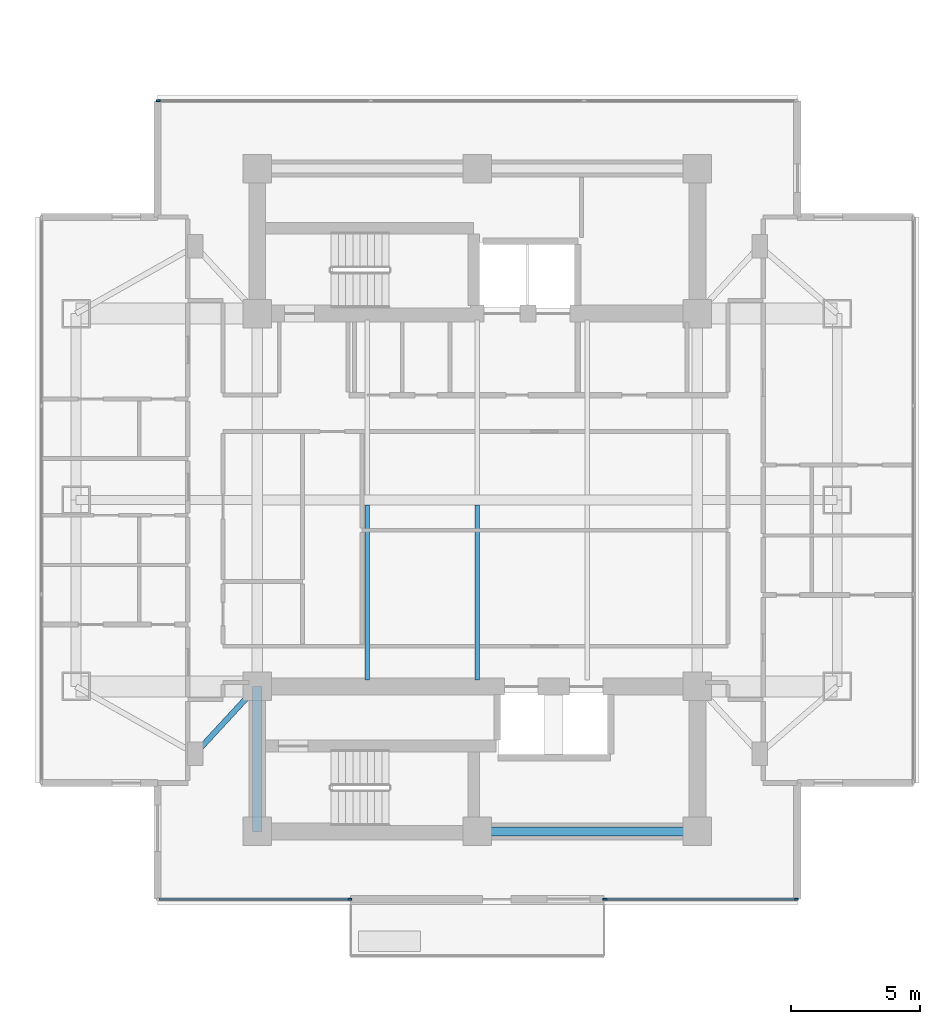
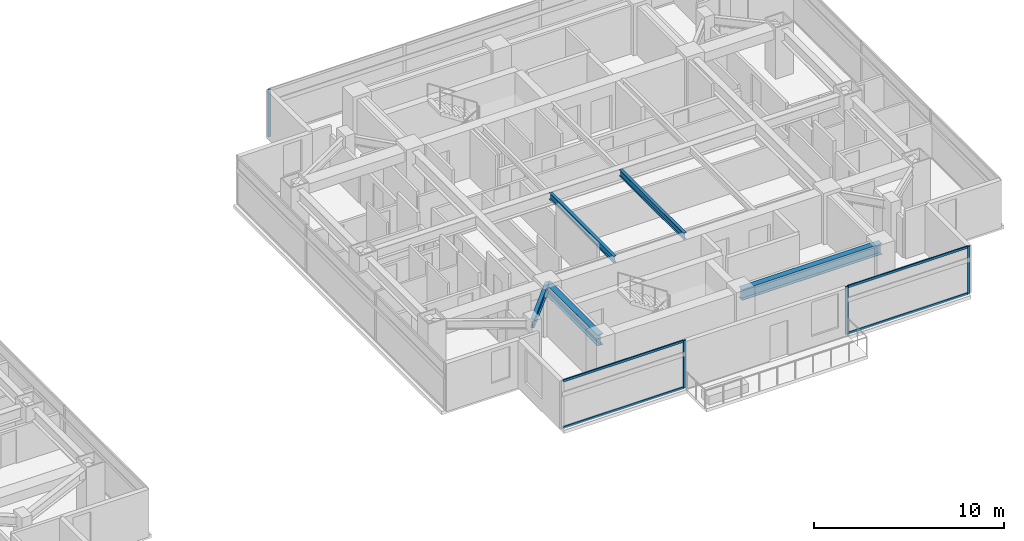
# One storey, part 9 of 24: 8 members, 5 beams, 3 elements without a shape of their own.
"""IFC4 building model written with IfcOpenShell, lengths in metres."""

from ifc_helpers import new_model, si_unit, direction, frame, origin, origin_2d, place, context, subcontext, project, spatial, rectangle, i_section, extrude, material, material_profile, profile_set, type_object, element, aggregate, save


model = new_model("IFC4")

# Units and contexts
model_context = context("Model", 3, precision=1e-05, world=origin(), true_north=direction((0.0, 1.0)))
body_context = subcontext(model_context, "Body", "Model", "MODEL_VIEW")
ifc_project = project(units=[si_unit("LENGTHUNIT", "METRE"), si_unit("AREAUNIT", "SQUARE_METRE"), si_unit("VOLUMEUNIT", "CUBIC_METRE"), si_unit("PLANEANGLEUNIT", "RADIAN"), si_unit("MASSUNIT", "GRAM", prefix="KILO")], contexts=[model_context])

# Site, building, storey
site_placement = place(None, origin())
site = spatial("IfcSite", under=ifc_project, at=site_placement, CompositionType="ELEMENT")
building_placement = place(site_placement, origin())
building = spatial("IfcBuilding", under=site, at=building_placement, Name="Mirazonda Arch Towers", CompositionType="ELEMENT")
storey_placement = place(building_placement, frame((0.0, 0.0, 118.10009765625)))
storey = spatial("IfcBuildingStorey", under=building, at=storey_placement, Name="L33", CompositionType="ELEMENT", Elevation=118.10009765625)

# Beams
ifc_material_1 = material(Name="Steel ASTM A992 Grade 50", Category="steel")
ifc_material_profile_1 = material_profile(ifc_material_1, i_section(OverallWidth=0.180908203125, OverallDepth=0.4169921875, WebThickness=0.010986328125, FlangeThickness=0.018310546875, at=origin_2d()), Name="W16X57")
ifc_profile_set_1 = profile_set([ifc_material_profile_1], Name="Steel ASTM A992 Grade 50")
beam_type_1 = type_object("IfcBeamType", Name="BM-INT-W16X57", PredefinedType="JOIST", material=ifc_profile_set_1)
for number, where, z_axis, x_axis, name in (
    (1, (72.25, 21.0400390625, 2.871337890625), (0.0, 1.0, 0.0), (-1.0, 0.0, 0.0), "L33 Floor Beam BM-T2-L33-J-722-20"),
    (2, (76.5, 21.0400390625, 2.871337890625), (0.0, 1.0, 0.0), (-1.0, 0.0, 0.0), "L33 Floor Beam BM-T2-L33-J-765-20"),
):
    element("IfcBeam", number, at=place(storey_placement, frame(where, z_axis=z_axis, x_axis=x_axis)), inside=storey, type_object=beam_type_1, Name=name, PredefinedType="JOIST", context=body_context, shape_type="SweptSolid", body=[
        extrude(i_section(OverallWidth=0.180908203125, OverallDepth=0.4169921875, WebThickness=0.010986328125, FlangeThickness=0.018310546875, at=origin_2d()), origin(), (0.0, 0.0, 1.0), 6.763916015625),
    ])
ifc_material_profile_2 = material_profile(ifc_material_1, i_section(OverallWidth=0.214111328125, OverallDepth=0.549072265625, WebThickness=0.0146484375, FlangeThickness=0.023681640625, at=origin_2d()), Name="W21X93")
ifc_profile_set_2 = profile_set([ifc_material_profile_2], Name="Steel ASTM A992 Grade 50")
beam_type_2 = type_object("IfcBeamType", Name="BM-INT-W21X93", PredefinedType="BEAM", material=ifc_profile_set_2)
beam_1_placement = place(storey_placement, frame((65.60009765625, 18.199951171875, 2.805419921875), z_axis=(0.678251444854, 0.734829897019, 0.0), x_axis=(-0.734829897019, 0.678251444854, 0.0)))
element("IfcBeam", 3, at=beam_1_placement, inside=storey, type_object=beam_type_2, Name="L33 Floor Beam BM-T2-L33-PL-SW1", PredefinedType="BEAM", context=body_context, shape_type="SweptSolid", body=[
    extrude(i_section(OverallWidth=0.214111328125, OverallDepth=0.549072265625, WebThickness=0.0146484375, FlangeThickness=0.023681640625, at=origin_2d()), origin(), (0.0, 0.0, 1.0), 3.538330078125),
])
ifc_material_profile_3 = material_profile(ifc_material_1, i_section(OverallWidth=0.35498046875, OverallDepth=0.696044921875, WebThickness=0.015380859375, FlangeThickness=0.02490234375, at=origin_2d()), Name="W27X146")
ifc_profile_set_3 = profile_set([ifc_material_profile_3], Name="Steel ASTM A992 Grade 50")
beam_type_3 = type_object("IfcBeamType", Name="BM-INT-W27X146", PredefinedType="BEAM", material=ifc_profile_set_3)
beam_2_placement = place(storey_placement, frame((76.5, 15.199951171875, 2.73193359375), z_axis=(1.0, 0.0, 0.0), x_axis=(0.0, 1.0, 0.0)))
element("IfcBeam", 4, at=beam_2_placement, inside=storey, type_object=beam_type_3, Name="L33 Floor Beam BM-T2-L33-CS2", PredefinedType="BEAM", context=body_context, shape_type="SweptSolid", body=[
    extrude(i_section(OverallWidth=0.35498046875, OverallDepth=0.696044921875, WebThickness=0.015380859375, FlangeThickness=0.02490234375, at=origin_2d()), origin(), (0.0, 0.0, 1.0), 8.5),
])
beam_3_placement = place(storey_placement, frame((68.0, 15.199951171875, 2.73193359375), z_axis=(0.0, 1.0, 0.0), x_axis=(-1.0, 0.0, 0.0)))
element("IfcBeam", 5, at=beam_3_placement, inside=storey, type_object=beam_type_3, Name="L33 Floor Beam BM-T2-L33-CSW", PredefinedType="BEAM", context=body_context, shape_type="SweptSolid", body=[
    extrude(i_section(OverallWidth=0.35498046875, OverallDepth=0.696044921875, WebThickness=0.015380859375, FlangeThickness=0.02490234375, at=origin_2d()), origin(), (0.0, 0.0, 1.0), 5.60009765625),
])

# Curtain wall, members
ifc_material_2 = material(Name="Anodised Aluminium and Low-E Glass", Category="aluminium")
curtain_wall_type = type_object("IfcCurtainWallType", Name="CW-HTL-UNIT", PredefinedType="NOTDEFINED", material=ifc_material_2)
curtain_wall_1_placement = place(storey_placement, origin())
curtain_wall_1 = element("IfcCurtainWall", 6, at=curtain_wall_1_placement, inside=storey, type_object=curtain_wall_type, Name="L33 Curtain Wall CW-L33-T2-SA", PredefinedType="NOTDEFINED")
ifc_material_3 = material(Name="Anodised Aluminium Alloy", Category="aluminium")
ifc_material_profile_4 = material_profile(ifc_material_3, rectangle(XDim=0.074951171875, YDim=0.1650390625, at=origin_2d()), Name="ALU-MULL-75x165")
ifc_profile_set_4 = profile_set([ifc_material_profile_4], Name="Anodised Aluminium Alloy")
member_type_1 = type_object("IfcMemberType", Name="MULL-CW-HTL-UNIT", PredefinedType="MULLION", material=ifc_profile_set_4)
member_1_placement = place(storey_placement, frame((88.821044921875, 12.5810546875, 0.0), z_axis=(0.0, 0.0, 1.0), x_axis=(0.0, -1.0, 0.0)))
member_1 = element("IfcMember", 7, at=member_1_placement, type_object=member_type_1, Name="CW-112 mullion 1", PredefinedType="MULLION", context=body_context, shape_type="SweptSolid", body=[
    extrude(rectangle(XDim=0.074951171875, YDim=0.1650390625, at=origin_2d()), origin(), (0.0, 0.0, 1.0), 3.059814453125),
])
member_2_placement = place(storey_placement, frame((81.427490234375, 12.5810546875, 0.0), z_axis=(0.0, 0.0, 1.0), x_axis=(0.0, -1.0, 0.0)))
member_2 = element("IfcMember", 8, at=member_2_placement, type_object=member_type_1, Name="CW-112 mullion 2", PredefinedType="MULLION", context=body_context, shape_type="SweptSolid", body=[
    extrude(rectangle(XDim=0.074951171875, YDim=0.1650390625, at=origin_2d()), origin(), (0.0, 0.0, 1.0), 3.059814453125),
])

# Curtain wall, member
curtain_wall_2_placement = place(storey_placement, origin())
curtain_wall_2 = element("IfcCurtainWall", 9, at=curtain_wall_2_placement, inside=storey, type_object=curtain_wall_type, Name="L33 Curtain Wall CW-L33-T2-SB", PredefinedType="NOTDEFINED")
member_3_placement = place(storey_placement, frame((71.572509765625, 12.5810546875, 0.0), z_axis=(0.0, 0.0, 1.0), x_axis=(0.0, -1.0, 0.0)))
member_3 = element("IfcMember", 10, at=member_3_placement, type_object=member_type_1, Name="CW-112 mullion 1", PredefinedType="MULLION", context=body_context, shape_type="SweptSolid", body=[
    extrude(rectangle(XDim=0.074951171875, YDim=0.1650390625, at=origin_2d()), origin(), (0.0, 0.0, 1.0), 3.059814453125),
])

curtain_wall_3_placement = place(storey_placement, origin())
curtain_wall_3 = element("IfcCurtainWall", 11, at=curtain_wall_3_placement, inside=storey, type_object=curtain_wall_type, Name="L33 T2 N Facade CW-L33-T2-N", PredefinedType="NOTDEFINED")
member_4_placement = place(storey_placement, frame((64.178955078125, 43.4189453125, 0.0), z_axis=(0.0, 0.0, 1.0), x_axis=(0.0, 1.0, 0.0)))
member_4 = element("IfcMember", 12, at=member_4_placement, type_object=member_type_1, Name="CW-112 mullion 1", PredefinedType="MULLION", context=body_context, shape_type="SweptSolid", body=[
    extrude(rectangle(XDim=0.074951171875, YDim=0.1650390625, at=origin_2d()), origin(), (0.0, 0.0, 1.0), 3.059814453125),
])
aggregate(curtain_wall_3, [member_4])

# Member
ifc_material_profile_5 = material_profile(ifc_material_3, rectangle(XDim=0.074951171875, YDim=0.14501953125, at=origin_2d()), Name="ALU-TRAN-75x145")
ifc_profile_set_5 = profile_set([ifc_material_profile_5], Name="Anodised Aluminium Alloy")
member_type_2 = type_object("IfcMemberType", Name="TRAN-CW-HTL-UNIT", PredefinedType="USERDEFINED", material=ifc_profile_set_5)
member_5_placement = place(storey_placement, frame((88.783447265625, 12.5810546875, 0.037353515625), z_axis=(-1.0, 0.0, 0.0), x_axis=(0.0, -1.0, 0.0)))
member_5 = element("IfcMember", 13, at=member_5_placement, type_object=member_type_2, Name="CW-112 transom 1.1", ObjectType="TRANSOM", PredefinedType="USERDEFINED", context=body_context, shape_type="SweptSolid", body=[
    extrude(rectangle(XDim=0.074951171875, YDim=0.14501953125, at=origin_2d()), origin(), (0.0, 0.0, 1.0), 7.318359375),
])

member_6_placement = place(storey_placement, frame((88.783447265625, 12.5810546875, 3.0224609375), z_axis=(-1.0, 0.0, 0.0), x_axis=(0.0, -1.0, 0.0)))
member_6 = element("IfcMember", 14, at=member_6_placement, type_object=member_type_2, Name="CW-112 transom 1.2", ObjectType="TRANSOM", PredefinedType="USERDEFINED", context=body_context, shape_type="SweptSolid", body=[
    extrude(rectangle(XDim=0.074951171875, YDim=0.14501953125, at=origin_2d()), origin(), (0.0, 0.0, 1.0), 7.318359375),
])

aggregate(curtain_wall_1, [member_1, member_2, member_5, member_6])

member_7_placement = place(storey_placement, frame((71.534912109375, 12.5810546875, 0.037353515625), z_axis=(-1.0, 0.0, 0.0), x_axis=(0.0, -1.0, 0.0)))
member_7 = element("IfcMember", 15, at=member_7_placement, type_object=member_type_2, Name="CW-112 transom 1.1", ObjectType="TRANSOM", PredefinedType="USERDEFINED", context=body_context, shape_type="SweptSolid", body=[
    extrude(rectangle(XDim=0.074951171875, YDim=0.14501953125, at=origin_2d()), origin(), (0.0, 0.0, 1.0), 7.318359375),
])

member_8_placement = place(storey_placement, frame((71.534912109375, 12.5810546875, 3.0224609375), z_axis=(-1.0, 0.0, 0.0), x_axis=(0.0, -1.0, 0.0)))
member_8 = element("IfcMember", 16, at=member_8_placement, type_object=member_type_2, Name="CW-112 transom 1.2", ObjectType="TRANSOM", PredefinedType="USERDEFINED", context=body_context, shape_type="SweptSolid", body=[
    extrude(rectangle(XDim=0.074951171875, YDim=0.14501953125, at=origin_2d()), origin(), (0.0, 0.0, 1.0), 7.318359375),
])

aggregate(curtain_wall_2, [member_3, member_7, member_8])

save(model, "model.ifc")
